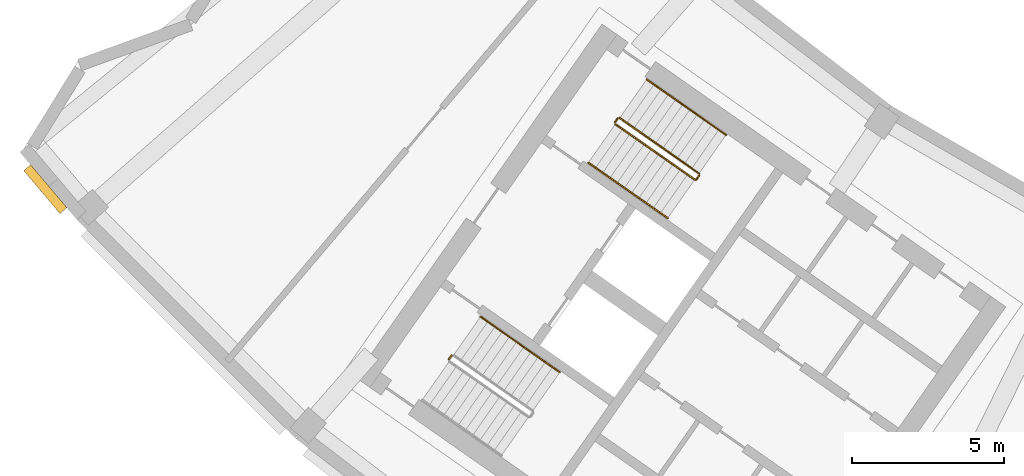
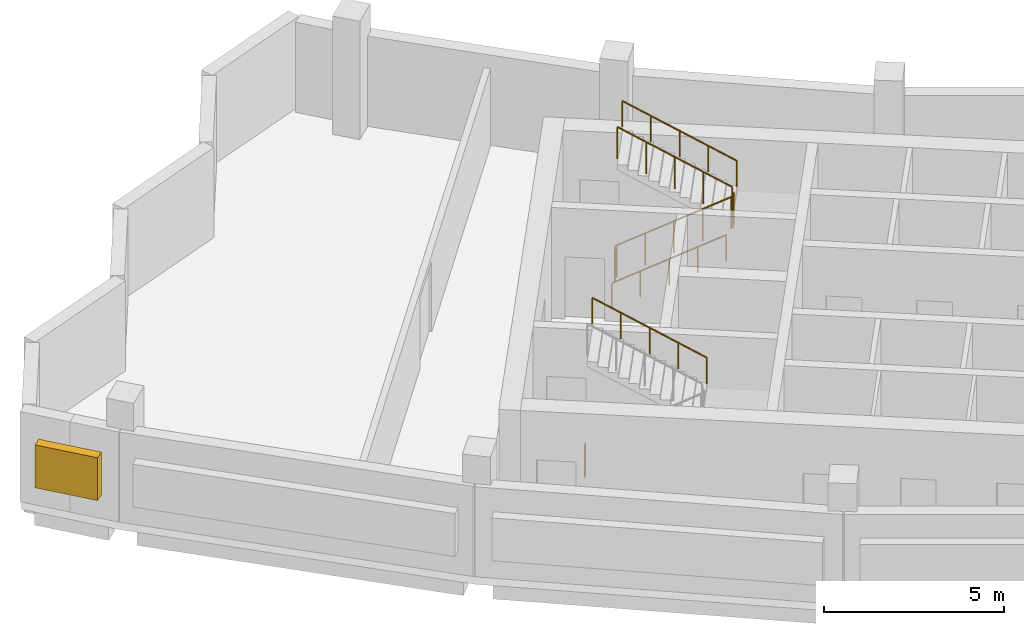
# One storey, part 9 of 11: 7 railings, 1 shading device.
"""IFC4 building model written with IfcOpenShell, lengths in metres."""

from ifc_helpers import new_model, si_unit, direction, frame, origin, origin_2d, place, context, subcontext, project, spatial, rectangle, circle, extrude, material, type_object, element, save


model = new_model("IFC4")

# Units and contexts
model_context = context("Model", 3, precision=1e-05, world=origin(), true_north=direction((0.0, 1.0)))
body_context = subcontext(model_context, "Body", "Model", "MODEL_VIEW")
ifc_project = project(units=[si_unit("LENGTHUNIT", "METRE"), si_unit("AREAUNIT", "SQUARE_METRE"), si_unit("VOLUMEUNIT", "CUBIC_METRE"), si_unit("PLANEANGLEUNIT", "RADIAN"), si_unit("MASSUNIT", "GRAM", prefix="KILO")], contexts=[model_context])

# Site, building, storey
site_placement = place(None, origin())
site = spatial("IfcSite", under=ifc_project, at=site_placement, CompositionType="ELEMENT")
building_placement = place(site_placement, origin())
building = spatial("IfcBuilding", under=site, at=building_placement, Name="Qamariyya Broadcast Tower", CompositionType="ELEMENT")
storey_placement = place(building_placement, frame((0.0, 0.0, 310.699951171875)))
storey = spatial("IfcBuildingStorey", under=building, at=storey_placement, Name="L75", CompositionType="ELEMENT", Elevation=310.699951171875)

# Railings
ifc_material_1 = material(Name="Painted steel", Category="steel")
railing_type_1 = type_object("IfcRailingType", Name="Stair guard", PredefinedType="GUARDRAIL", material=ifc_material_1)
railing_1_placement = place(storey_placement, frame((-41.146728515625, -48.52490234375, 0.166748046875)))
element("IfcRailing", 1, at=railing_1_placement, inside=storey, type_object=railing_type_1, Name="L75 ST-W2 stair guard 1", PredefinedType="GUARDRAIL", context=body_context, shape_type="SweptSolid", body=[
    extrude(circle(Radius=0.02392578125, at=origin_2d()), frame((0.0, 0.0, 1.076171875), z_axis=(0.710227693972, -0.497285465629, 0.498280832854), x_axis=(0.573559936391, 0.819163597438, 0.0)), (0.0, 0.0, 1.0), 3.67919921875),
    extrude(circle(Radius=0.02392578125, at=origin_2d()), frame((2.613037109375, -1.82958984375, 2.9091796875), z_axis=(0.985059694769, 0.172213233351, 0.0), x_axis=(-0.172213233351, 0.985059694769, 0.0)), (0.0, 0.0, 1.0), 0.07080078125),
    extrude(circle(Radius=0.02392578125, at=origin_2d()), frame((2.682861328125, -1.8173828125, 2.9091796875), z_axis=(0.573353020881, 0.819308436089, 0.0), x_axis=(-0.819308436089, 0.573353020881, 0.0)), (0.0, 0.0, 1.0), 0.14990234375),
    extrude(circle(Radius=0.02099609375, at=origin_2d()), origin(), (0.0, 0.0, 1.0), 1.052001953125),
    extrude(circle(Radius=0.02099609375, at=origin_2d()), frame((0.6533203125, -0.45751953125, 0.458251953125)), (0.0, 0.0, 1.0), 1.052001953125),
    extrude(circle(Radius=0.02099609375, at=origin_2d()), frame((1.306640625, -0.914794921875, 0.91650390625)), (0.0, 0.0, 1.0), 1.052001953125),
    extrude(circle(Radius=0.02099609375, at=origin_2d()), frame((1.959716796875, -1.3720703125, 1.375)), (0.0, 0.0, 1.0), 1.052001953125),
    extrude(circle(Radius=0.02099609375, at=origin_2d()), frame((2.613037109375, -1.82958984375, 1.833251953125)), (0.0, 0.0, 1.0), 1.052001953125),
    extrude(circle(Radius=0.02099609375, at=origin_2d()), frame((2.682861328125, -1.8173828125, 1.833251953125)), (0.0, 0.0, 1.0), 1.052001953125),
    extrude(circle(Radius=0.02099609375, at=origin_2d()), frame((2.768798828125, -1.694580078125, 1.833251953125)), (0.0, 0.0, 1.0), 1.052001953125),
])
railing_2_placement = place(storey_placement, frame((-38.39013671875, -50.14990234375, 2.166748046875)))
element("IfcRailing", 2, at=railing_2_placement, inside=storey, type_object=railing_type_1, Name="L75 ST-W2 stair guard 2", PredefinedType="GUARDRAIL", context=body_context, shape_type="SweptSolid", body=[
    extrude(circle(Radius=0.02392578125, at=origin_2d()), frame((0.0, 0.0, 1.076171875), z_axis=(-0.710204256923, 0.497335411159, 0.498264389913), x_axis=(-0.573611290809, -0.819127637829, 0.0)), (0.0, 0.0, 1.0), 3.67919921875),
    extrude(circle(Radius=0.02099609375, at=origin_2d()), origin(), (0.0, 0.0, 1.0), 1.052001953125),
    extrude(circle(Radius=0.02099609375, at=origin_2d()), frame((-0.6533203125, 0.45751953125, 0.458251953125)), (0.0, 0.0, 1.0), 1.052001953125),
    extrude(circle(Radius=0.02099609375, at=origin_2d()), frame((-1.306640625, 0.9150390625, 0.91650390625)), (0.0, 0.0, 1.0), 1.052001953125),
    extrude(circle(Radius=0.02099609375, at=origin_2d()), frame((-1.959716796875, 1.372314453125, 1.375)), (0.0, 0.0, 1.0), 1.052001953125),
    extrude(circle(Radius=0.02099609375, at=origin_2d()), frame((-2.613037109375, 1.829833984375, 1.833251953125)), (0.0, 0.0, 1.0), 1.052001953125),
])
railing_3_placement = place(storey_placement, frame((-41.158935546875, -48.455322265625, 0.0)))
element("IfcRailing", 3, at=railing_3_placement, inside=storey, type_object=railing_type_1, Name="L75 ST-W2 stair guard 3", PredefinedType="GUARDRAIL", context=body_context, shape_type="SweptSolid", body=[
    extrude(circle(Radius=0.02392578125, at=origin_2d()), frame((0.0, 0.0, 1.076171875), z_axis=(0.572588637393, 0.819842821722, 0.0), x_axis=(-0.819842821722, 0.572588637393, 0.0)), (0.0, 0.0, 1.0), 0.150146484375),
    extrude(circle(Radius=0.02099609375, at=origin_2d()), origin(), (0.0, 0.0, 1.0), 1.052001953125),
    extrude(circle(Radius=0.02099609375, at=origin_2d()), frame((0.0859375, 0.123046875, 0.0)), (0.0, 0.0, 1.0), 1.052001953125),
])
railing_4_placement = place(storey_placement, frame((-46.63671875, -56.278076171875, 0.0)))
element("IfcRailing", 4, at=railing_4_placement, inside=storey, type_object=railing_type_1, Name="L75 ST-W1 stair guard 3", PredefinedType="GUARDRAIL", context=body_context, shape_type="SweptSolid", body=[
    extrude(circle(Radius=0.02392578125, at=origin_2d()), frame((0.0, 0.0, 1.076171875), z_axis=(0.574444878118, 0.818543268254, 0.0), x_axis=(-0.818543268254, 0.574444878118, 0.0)), (0.0, 0.0, 1.0), 0.150146484375),
    extrude(circle(Radius=0.02099609375, at=origin_2d()), origin(), (0.0, 0.0, 1.0), 1.052001953125),
    extrude(circle(Radius=0.02099609375, at=origin_2d()), frame((0.086181640625, 0.122802734375, 0.0)), (0.0, 0.0, 1.0), 1.052001953125),
])
ifc_material_2 = material(Name="Stainless steel", Category="steel")
railing_type_2 = type_object("IfcRailingType", Name="Stair handrail", PredefinedType="HANDRAIL", material=ifc_material_2)
railing_5_placement = place(storey_placement, frame((-42.03564453125, -49.79443359375, 0.166748046875)))
element("IfcRailing", 5, at=railing_5_placement, inside=storey, type_object=railing_type_2, Name="L75 ST-W2 stair handrail 1", PredefinedType="HANDRAIL", context=body_context, shape_type="SweptSolid", body=[
    extrude(circle(Radius=0.02392578125, at=origin_2d()), frame((0.0, 0.0, 0.8759765625), z_axis=(0.710204256923, -0.497335411159, 0.498264389913), x_axis=(0.573611290809, 0.819127637829, 0.0)), (0.0, 0.0, 1.0), 3.67919921875),
    extrude(circle(Radius=0.02099609375, at=origin_2d()), origin(), (0.0, 0.0, 1.0), 0.851806640625),
    extrude(circle(Radius=0.02099609375, at=origin_2d()), frame((0.6533203125, -0.45751953125, 0.458251953125)), (0.0, 0.0, 1.0), 0.851806640625),
    extrude(circle(Radius=0.02099609375, at=origin_2d()), frame((1.306640625, -0.9150390625, 0.91650390625)), (0.0, 0.0, 1.0), 0.851806640625),
    extrude(circle(Radius=0.02099609375, at=origin_2d()), frame((1.959716796875, -1.372314453125, 1.375)), (0.0, 0.0, 1.0), 0.851806640625),
    extrude(circle(Radius=0.02099609375, at=origin_2d()), frame((2.613037109375, -1.829833984375, 1.833251953125)), (0.0, 0.0, 1.0), 0.851806640625),
])
railing_6_placement = place(storey_placement, frame((-37.501220703125, -48.880126953125, 2.166748046875)))
element("IfcRailing", 6, at=railing_6_placement, inside=storey, type_object=railing_type_2, Name="L75 ST-W2 stair handrail 2", PredefinedType="HANDRAIL", context=body_context, shape_type="SweptSolid", body=[
    extrude(circle(Radius=0.02392578125, at=origin_2d()), frame((0.0, 0.0, 0.8759765625), z_axis=(-0.710204256923, 0.497335411159, 0.498264389913), x_axis=(-0.573611290809, -0.819127637829, 0.0)), (0.0, 0.0, 1.0), 3.67919921875),
    extrude(circle(Radius=0.02099609375, at=origin_2d()), origin(), (0.0, 0.0, 1.0), 0.851806640625),
    extrude(circle(Radius=0.02099609375, at=origin_2d()), frame((-0.6533203125, 0.45751953125, 0.458251953125)), (0.0, 0.0, 1.0), 0.851806640625),
    extrude(circle(Radius=0.02099609375, at=origin_2d()), frame((-1.306640625, 0.9150390625, 0.91650390625)), (0.0, 0.0, 1.0), 0.851806640625),
    extrude(circle(Radius=0.02099609375, at=origin_2d()), frame((-1.959716796875, 1.372314453125, 1.375)), (0.0, 0.0, 1.0), 0.851806640625),
    extrude(circle(Radius=0.02099609375, at=origin_2d()), frame((-2.613037109375, 1.829833984375, 1.833251953125)), (0.0, 0.0, 1.0), 0.851806640625),
])
railing_7_placement = place(storey_placement, frame((-42.978759765625, -56.702880859375, 2.166748046875)))
element("IfcRailing", 7, at=railing_7_placement, inside=storey, type_object=railing_type_2, Name="L75 ST-W1 stair handrail 2", PredefinedType="HANDRAIL", context=body_context, shape_type="SweptSolid", body=[
    extrude(circle(Radius=0.02392578125, at=origin_2d()), frame((0.0, 0.0, 0.8759765625), z_axis=(-0.710227693972, 0.497285465629, 0.498280832854), x_axis=(-0.573559936391, -0.819163597438, 0.0)), (0.0, 0.0, 1.0), 3.67919921875),
    extrude(circle(Radius=0.02099609375, at=origin_2d()), origin(), (0.0, 0.0, 1.0), 0.851806640625),
    extrude(circle(Radius=0.02099609375, at=origin_2d()), frame((-0.6533203125, 0.45751953125, 0.458251953125)), (0.0, 0.0, 1.0), 0.851806640625),
    extrude(circle(Radius=0.02099609375, at=origin_2d()), frame((-1.306640625, 0.914794921875, 0.91650390625)), (0.0, 0.0, 1.0), 0.851806640625),
    extrude(circle(Radius=0.02099609375, at=origin_2d()), frame((-1.959716796875, 1.3720703125, 1.375)), (0.0, 0.0, 1.0), 0.851806640625),
    extrude(circle(Radius=0.02099609375, at=origin_2d()), frame((-2.613037109375, 1.82958984375, 1.833251953125)), (0.0, 0.0, 1.0), 0.851806640625),
])

# Shading device
ifc_material_3 = material(Name="Glazed terracotta", Category="masonry")
shading_device_type = type_object("IfcShadingDeviceType", Name="Terracotta louvre bank", PredefinedType="USERDEFINED", material=ifc_material_3)
shading_device_placement = place(storey_placement, frame((-59.94140625, -50.66796875, 0.80029296875), z_axis=(0.0, 0.0, 1.0), x_axis=(0.645559567332, -0.763709922042, 0.0)))
element("IfcShadingDevice", 8, at=shading_device_placement, inside=storey, type_object=shading_device_type, Name="e-lv-L75-00", ObjectType="LOUVRE", PredefinedType="USERDEFINED", context=body_context, shape_type="SweptSolid", body=[
    extrude(rectangle(XDim=1.8505859375, YDim=0.300048828125, at=origin_2d()), origin(), (0.0, 0.0, 1.0), 1.449951171875),
])

save(model, "model.ifc")
